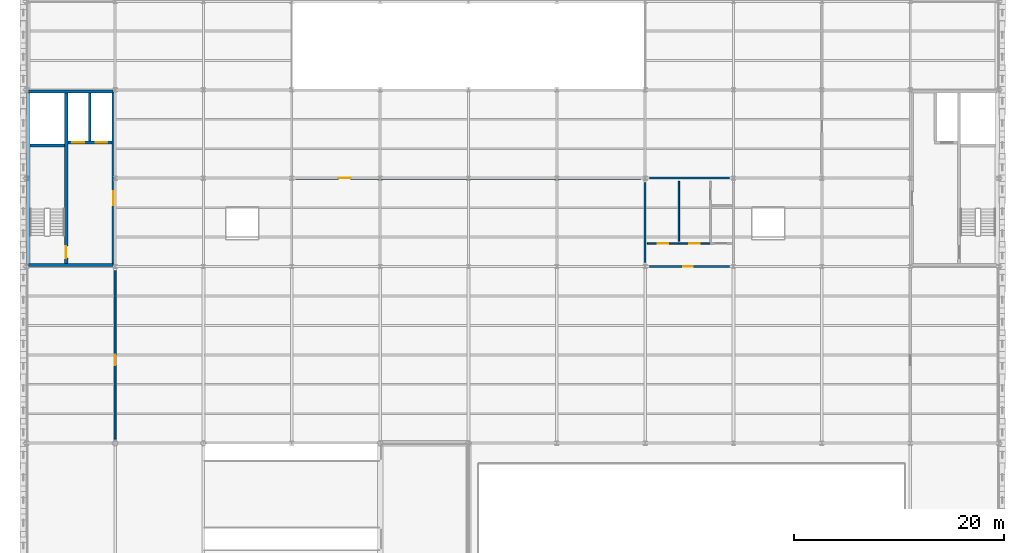
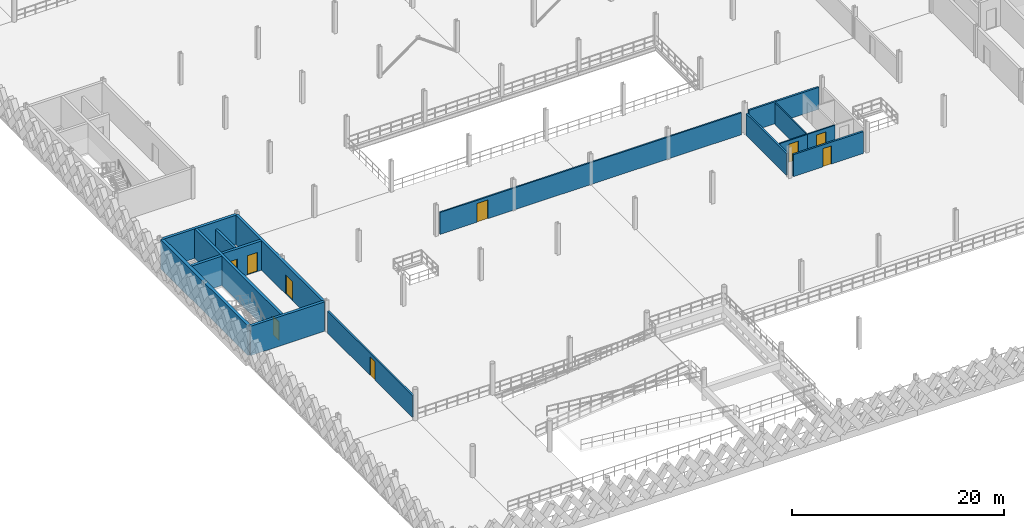
# One storey, part 59 of 74: 16 walls, 9 doors, 9 openings.
"""IFC4 building model written with IfcOpenShell, lengths in metres."""

from ifc_helpers import new_model, si_unit, direction, frame, frame_2d, origin, place, context, subcontext, project, spatial, rectangle, extrude, material, layer, layer_set, type_object, element, fill, save


model = new_model("IFC4")

# Units and contexts
model_context = context("Model", 3, precision=1e-05, world=origin(), true_north=direction((0.0, 1.0)))
body_context = subcontext(model_context, "Body", "Model", "MODEL_VIEW")
ifc_project = project(units=[si_unit("LENGTHUNIT", "METRE"), si_unit("AREAUNIT", "SQUARE_METRE"), si_unit("VOLUMEUNIT", "CUBIC_METRE"), si_unit("PLANEANGLEUNIT", "RADIAN"), si_unit("MASSUNIT", "GRAM", prefix="KILO"), si_unit("THERMODYNAMICTEMPERATUREUNIT", "KELVIN"), si_unit("POWERUNIT", "WATT")], contexts=[model_context])

# Site, building, storey
site_placement = place(None, origin())
site = spatial("IfcSite", under=ifc_project, at=site_placement, CompositionType="ELEMENT")
building_placement = place(site_placement, origin())
building = spatial("IfcBuilding", under=site, at=building_placement, Name="Tembeka Court Mobility Hub", CompositionType="ELEMENT")
storey_placement = place(building_placement, frame((0.0, 0.0, 12.60009765625)))
storey = spatial("IfcBuildingStorey", under=building, at=storey_placement, Name="L03", CompositionType="ELEMENT", Elevation=12.60009765625)

# Wall
ifc_material_1 = material(Name="Concrete C40/50", Category="concrete")
ifc_layer_1 = layer(ifc_material_1, 0.25)
ifc_layer_set_1 = layer_set([ifc_layer_1], Name="Concrete C40/50")
wall_type_1 = type_object("IfcWallType", Name="WL-IW01", PredefinedType="PARTITIONING", material=ifc_layer_set_1)
wall_1_placement = place(storey_placement, frame((6.0, 50.35009765625, 0.0), z_axis=(0.0, 0.0, 1.0), x_axis=(0.0, 1.0, 0.0)))
element("IfcWall", 1, at=wall_1_placement, inside=storey, type_object=wall_type_1, Name="Wall IW01 (IW-L03-0040)", PredefinedType="PARTITIONING", context=body_context, shape_type="SweptSolid", body=[
    extrude(rectangle(XDim=4.5498046875, YDim=0.25, at=frame_2d((2.27490234375, 0.0))), origin(), (0.0, 0.0, 1.0), 2.52490234375),
])

# Wall, opening, door
ifc_material_2 = material(Name="Concrete blockwork masonry", Category="masonry")
ifc_layer_2 = layer(ifc_material_2, 0.199951171875)
ifc_layer_set_2 = layer_set([ifc_layer_2], Name="Concrete blockwork masonry")
wall_type_2 = type_object("IfcWallType", Name="WL-IW02", PredefinedType="PARTITIONING", material=ifc_layer_set_2)
wall_2_placement = place(storey_placement, frame((59.199951171875, 38.39990234375, 0.0), z_axis=(0.0, 0.0, 1.0), x_axis=(1.0, 0.0, 0.0)))
wall_2 = element("IfcWall", 2, at=wall_2_placement, inside=storey, type_object=wall_type_2, Name="Wall IW02 (IW-L03-0376)", PredefinedType="PARTITIONING", context=body_context, shape_type="SweptSolid", body=[
    extrude(rectangle(XDim=7.60009765625, YDim=0.199951171875, at=frame_2d((3.800048828125, 0.0))), origin(), (0.0, 0.0, 1.0), 2.52490234375),
])
opening_1_placement = place(wall_2_placement, frame((3.199951171875, 0.0, 0.0)))
opening_1 = element("IfcOpeningElement", 3, at=opening_1_placement, cuts=wall_2, Name="Opening ID03", PredefinedType="OPENING", context=body_context, shape_type="SweptSolid", body=[
    extrude(rectangle(XDim=0.919921875, YDim=2.10009765625, at=frame_2d((0.4599609375, 1.050048828125))), frame((0.0, 0.10986328125, 0.0), z_axis=(0.0, -1.0, 0.0), x_axis=(1.0, 0.0, 0.0)), (0.0, 0.0, 1.0), 0.219970703125),
])
ifc_material_3 = material(Name="Galvanised steel fire/shutter doorset", Category="steel")
door_type_1 = type_object("IfcDoorType", Name="DR-ID03", OperationType="NOTDEFINED", PredefinedType="DOOR", material=ifc_material_3)
door_1_placement = place(opening_1_placement, origin())
door_1 = element("IfcDoor", 4, at=door_1_placement, inside=storey, type_object=door_type_1, Name="L03 washroom lobby entrance", OperationType="SINGLE_SWING_LEFT", OverallHeight=2.10009765625, OverallWidth=0.919921875, PredefinedType="DOOR", context=body_context, shape_type="SweptSolid", body=[
    extrude(rectangle(XDim=0.919921875, YDim=2.10009765625, at=frame_2d((0.4599609375, 1.050048828125))), frame((0.0, 0.02490234375, 0.0), z_axis=(0.0, -1.0, 0.0), x_axis=(1.0, 0.0, 0.0)), (0.0, 0.0, 1.0), 0.050048828125),
])
fill(opening_1, door_1)

# Walls
wall_3_placement = place(storey_placement, frame((59.199951171875, 46.800048828125, 0.0), z_axis=(0.0, 0.0, 1.0), x_axis=(1.0, 0.0, 0.0)))
element("IfcWall", 5, at=wall_3_placement, inside=storey, type_object=wall_type_2, Name="Wall IW02 (IW-L03-0377)", PredefinedType="PARTITIONING", context=body_context, shape_type="SweptSolid", body=[
    extrude(rectangle(XDim=7.60009765625, YDim=0.199951171875, at=frame_2d((3.800048828125, 0.0))), origin(), (0.0, 0.0, 1.0), 2.52490234375),
])
wall_4_placement = place(storey_placement, frame((58.800048828125, 38.800048828125, 0.0), z_axis=(0.0, 0.0, 1.0), x_axis=(0.0, 1.0, 0.0)))
element("IfcWall", 6, at=wall_4_placement, inside=storey, type_object=wall_type_2, Name="Wall IW02 (IW-L03-0378)", PredefinedType="PARTITIONING", context=body_context, shape_type="SweptSolid", body=[
    extrude(rectangle(XDim=7.599853515625, YDim=0.199951171875, at=frame_2d((3.7998046875, 0.0))), origin(), (0.0, 0.0, 1.0), 2.52490234375),
])

# Wall, opening, door
ifc_layer_3 = layer(ifc_material_2, 0.179931640625)
ifc_layer_set_3 = layer_set([ifc_layer_3], Name="Concrete blockwork masonry")
wall_type_3 = type_object("IfcWallType", Name="WL-IW03", PredefinedType="PARTITIONING", material=ifc_layer_set_3)
wall_5_placement = place(storey_placement, frame((8.39990234375, 22.0, 0.0), z_axis=(0.0, 0.0, 1.0), x_axis=(0.0, 1.0, 0.0)))
wall_5 = element("IfcWall", 7, at=wall_5_placement, inside=storey, type_object=wall_type_3, Name="Wall IW03 (IW-L03-0440)", PredefinedType="PARTITIONING", context=body_context, shape_type="SweptSolid", body=[
    extrude(rectangle(XDim=16.0, YDim=0.179931640625, at=frame_2d((8.0, 0.0))), origin(), (0.0, 0.0, 1.0), 2.52490234375),
])
opening_2_placement = place(wall_5_placement, frame((7.0, 0.0, 0.0)))
opening_2 = element("IfcOpeningElement", 8, at=opening_2_placement, cuts=wall_5, Name="Opening FD05", PredefinedType="OPENING", context=body_context, shape_type="SweptSolid", body=[
    extrude(rectangle(XDim=1.0, YDim=2.14990234375, at=frame_2d((0.5, 1.074951171875))), frame((0.0, 0.10009765625, 0.0), z_axis=(0.0, -1.0, 0.0), x_axis=(1.0, 0.0, 0.0)), (0.0, 0.0, 1.0), 0.199951171875),
])
door_type_2 = type_object("IfcDoorType", Name="DR-FD05", OperationType="NOTDEFINED", PredefinedType="DOOR", material=ifc_material_3)
door_2_placement = place(opening_2_placement, origin())
door_2 = element("IfcDoor", 9, at=door_2_placement, inside=storey, type_object=door_type_2, Name="Door FD05-0213", OperationType="SINGLE_SWING_RIGHT", OverallHeight=2.14990234375, OverallWidth=1.0, PredefinedType="DOOR", context=body_context, shape_type="SweptSolid", body=[
    extrude(rectangle(XDim=1.0, YDim=2.14990234375, at=frame_2d((0.5, 1.074951171875))), frame((0.0, 0.02490234375, 0.0), z_axis=(0.0, -1.0, 0.0), x_axis=(1.0, 0.0, 0.0)), (0.0, 0.0, 1.0), 0.050048828125),
])
fill(opening_2, door_2)

ifc_material_4 = material(Name="Acoustic metal-stud gypsum partition", Category="masonry")
ifc_layer_4 = layer(ifc_material_4, 0.159912109375)
ifc_layer_set_4 = layer_set([ifc_layer_4], Name="Acoustic metal-stud gypsum partition")
wall_type_4 = type_object("IfcWallType", Name="WL-IW04", PredefinedType="PARTITIONING", material=ifc_layer_set_4)
wall_6_placement = place(storey_placement, frame((25.60009765625, 46.800048828125, 0.0), z_axis=(0.0, 0.0, 1.0), x_axis=(1.0, 0.0, 0.0)))
wall_6 = element("IfcWall", 10, at=wall_6_placement, inside=storey, type_object=wall_type_4, Name="Wall IW04 (IW-L03-0442)", PredefinedType="PARTITIONING", context=body_context, shape_type="SweptSolid", body=[
    extrude(rectangle(XDim=32.7998046875, YDim=0.159912109375, at=frame_2d((16.39990234375, 0.0))), origin(), (0.0, 0.0, 1.0), 2.52490234375),
])
opening_3_placement = place(wall_6_placement, frame((4.0, 0.0, 0.0)))
opening_3 = element("IfcOpeningElement", 11, at=opening_3_placement, cuts=wall_6, Name="Opening ID04", PredefinedType="OPENING", context=body_context, shape_type="SweptSolid", body=[
    extrude(rectangle(XDim=1.199951171875, YDim=2.14990234375, at=frame_2d((0.60009765625, 1.074951171875))), frame((0.0, 0.08984375, 0.0), z_axis=(0.0, -1.0, 0.0), x_axis=(1.0, 0.0, 0.0)), (0.0, 0.0, 1.0), 0.179931640625),
])
ifc_material_5 = material(Name="Powder-coated aluminium glazed doorset", Category="aluminium")
door_type_3 = type_object("IfcDoorType", Name="DR-ID04", OperationType="NOTDEFINED", PredefinedType="DOOR", material=ifc_material_5)
door_3_placement = place(opening_3_placement, origin())
door_3 = element("IfcDoor", 12, at=door_3_placement, inside=storey, type_object=door_type_3, Name="Door ID04-0215", OperationType="SINGLE_SWING_RIGHT", OverallHeight=2.14990234375, OverallWidth=1.199951171875, PredefinedType="DOOR", context=body_context, shape_type="SweptSolid", body=[
    extrude(rectangle(XDim=1.199951171875, YDim=2.14990234375, at=frame_2d((0.60009765625, 1.074951171875))), frame((0.0, 0.02490234375, 0.0), z_axis=(0.0, -1.0, 0.0), x_axis=(1.0, 0.0, 0.0)), (0.0, 0.0, 1.0), 0.050048828125),
])
fill(opening_3, door_3)

ifc_material_6 = material(Name="Moisture-resistant gypsum partition", Category="masonry")
ifc_layer_5 = layer(ifc_material_6, 0.139892578125)
ifc_layer_set_5 = layer_set([ifc_layer_5], Name="Moisture-resistant gypsum partition")
wall_type_5 = type_object("IfcWallType", Name="WL-IW05", PredefinedType="PARTITIONING", material=ifc_layer_set_5)
wall_7_placement = place(storey_placement, frame((59.0, 40.60009765625, 0.0), z_axis=(0.0, 0.0, 1.0), x_axis=(1.0, 0.0, 0.0)))
wall_7 = element("IfcWall", 13, at=wall_7_placement, inside=storey, type_object=wall_type_5, Name="Wall IW05 (IW-L03-0380)", PredefinedType="PARTITIONING", context=body_context, shape_type="SweptSolid", body=[
    extrude(rectangle(XDim=3.0, YDim=0.139892578125, at=frame_2d((1.5, 0.0))), origin(), (0.0, 0.0, 1.0), 2.52490234375),
])
opening_4_placement = place(wall_7_placement, frame((1.0, 0.0, 0.0)))
opening_4 = element("IfcOpeningElement", 14, at=opening_4_placement, cuts=wall_7, Name="Opening ID02", PredefinedType="OPENING", context=body_context, shape_type="SweptSolid", body=[
    extrude(rectangle(XDim=1.0, YDim=2.10009765625, at=frame_2d((0.5, 1.050048828125))), frame((0.0, 0.080078125, 0.0), z_axis=(0.0, -1.0, 0.0), x_axis=(1.0, 0.0, 0.0)), (0.0, 0.0, 1.0), 0.159912109375),
])
door_type_4 = type_object("IfcDoorType", Name="DR-ID02", OperationType="NOTDEFINED", PredefinedType="DOOR", material=ifc_material_5)
door_4_placement = place(opening_4_placement, origin())
door_4 = element("IfcDoor", 15, at=door_4_placement, inside=storey, type_object=door_type_4, Name="L03 male WC door", OperationType="SINGLE_SWING_RIGHT", OverallHeight=2.10009765625, OverallWidth=1.0, PredefinedType="DOOR", context=body_context, shape_type="SweptSolid", body=[
    extrude(rectangle(XDim=1.0, YDim=2.10009765625, at=frame_2d((0.5, 1.050048828125))), frame((0.0, 0.02490234375, 0.0), z_axis=(0.0, -1.0, 0.0), x_axis=(1.0, 0.0, 0.0)), (0.0, 0.0, 1.0), 0.050048828125),
])
fill(opening_4, door_4)

wall_8_placement = place(storey_placement, frame((62.0, 40.60009765625, 0.0), z_axis=(0.0, 0.0, 1.0), x_axis=(1.0, 0.0, 0.0)))
wall_8 = element("IfcWall", 16, at=wall_8_placement, inside=storey, type_object=wall_type_5, Name="Wall IW05 (IW-L03-0381)", PredefinedType="PARTITIONING", context=body_context, shape_type="SweptSolid", body=[
    extrude(rectangle(XDim=3.0, YDim=0.139892578125, at=frame_2d((1.5, 0.0))), origin(), (0.0, 0.0, 1.0), 2.52490234375),
])
opening_5_placement = place(wall_8_placement, frame((1.0, 0.0, 0.0)))
opening_5 = element("IfcOpeningElement", 17, at=opening_5_placement, cuts=wall_8, Name="Opening ID02", PredefinedType="OPENING", context=body_context, shape_type="SweptSolid", body=[
    extrude(rectangle(XDim=1.0, YDim=2.10009765625, at=frame_2d((0.5, 1.050048828125))), frame((0.0, 0.080078125, 0.0), z_axis=(0.0, -1.0, 0.0), x_axis=(1.0, 0.0, 0.0)), (0.0, 0.0, 1.0), 0.159912109375),
])
door_5_placement = place(opening_5_placement, origin())
door_5 = element("IfcDoor", 18, at=door_5_placement, inside=storey, type_object=door_type_4, Name="L03 female WC door", OperationType="SINGLE_SWING_LEFT", OverallHeight=2.10009765625, OverallWidth=1.0, PredefinedType="DOOR", context=body_context, shape_type="SweptSolid", body=[
    extrude(rectangle(XDim=1.0, YDim=2.10009765625, at=frame_2d((0.5, 1.050048828125))), frame((0.0, 0.02490234375, 0.0), z_axis=(0.0, -1.0, 0.0), x_axis=(1.0, 0.0, 0.0)), (0.0, 0.0, 1.0), 0.050048828125),
])
fill(opening_5, door_5)

# Walls
wall_9_placement = place(storey_placement, frame((62.0, 40.800048828125, 0.0), z_axis=(0.0, 0.0, 1.0), x_axis=(0.0, 1.0, 0.0)))
element("IfcWall", 19, at=wall_9_placement, inside=storey, type_object=wall_type_5, Name="Wall IW05 (IW-L03-0383)", PredefinedType="PARTITIONING", context=body_context, shape_type="SweptSolid", body=[
    extrude(rectangle(XDim=5.699951171875, YDim=0.139892578125, at=frame_2d((2.85009765625, 0.0))), origin(), (0.0, 0.0, 1.0), 2.52490234375),
])
ifc_layer_6 = layer(ifc_material_1, 0.300048828125)
ifc_layer_set_6 = layer_set([ifc_layer_6], Name="Concrete C40/50")
wall_type_6 = type_object("IfcWallType", Name="WL-SW01", PredefinedType="SHEAR", material=ifc_layer_set_6)
for number, where, z_axis, x_axis, name in (
    (20, (0.1845703125, 38.550048828125, 0.0), (0.0, 0.0, 1.0), (1.0, 0.0, 0.0), "Wall SW01 (IW-L03-0033)"),
    (21, (0.1845703125, 55.050048828125, 0.0), (0.0, 0.0, 1.0), (1.0, 0.0, 0.0), "Wall SW01 (IW-L03-0034)"),
):
    element("IfcWall", number, at=place(storey_placement, frame(where, z_axis=z_axis, x_axis=x_axis)), inside=storey, type_object=wall_type_6, Name=name, PredefinedType="SHEAR", context=body_context, shape_type="SweptSolid", body=[
        extrude(rectangle(XDim=8.031005859375, YDim=0.300048828125, at=frame_2d((4.015625, 0.0))), origin(), (0.0, 0.0, 1.0), 3.3798828125),
    ])
wall_10_placement = place(storey_placement, frame((0.300048828125, 49.89990234375, 0.0), z_axis=(0.0, 0.0, 1.0), x_axis=(1.0, 0.0, 0.0)))
element("IfcWall", 22, at=wall_10_placement, inside=storey, type_object=wall_type_6, Name="Wall SW01 (IW-L03-0035)", PredefinedType="SHEAR", context=body_context, shape_type="SweptSolid", body=[
    extrude(rectangle(XDim=3.300048828125, YDim=0.300048828125, at=frame_2d((1.64990234375, 0.0))), origin(), (0.0, 0.0, 1.0), 3.3798828125),
])

# Wall, opening, door
wall_11_placement = place(storey_placement, frame((8.25, 38.58203125, 0.0), z_axis=(0.0, 0.0, 1.0), x_axis=(0.0, 1.0, 0.0)))
wall_11 = element("IfcWall", 23, at=wall_11_placement, inside=storey, type_object=wall_type_6, Name="Wall SW01 (IW-L03-0037)", PredefinedType="SHEAR", context=body_context, shape_type="SweptSolid", body=[
    extrude(rectangle(XDim=16.43603515625, YDim=0.300048828125, at=frame_2d((8.218017578125, 0.0))), origin(), (0.0, 0.0, 1.0), 3.3798828125),
])
opening_6_placement = place(wall_11_placement, frame((5.66796875, 0.0, 0.0)))
opening_6 = element("IfcOpeningElement", 24, at=opening_6_placement, cuts=wall_11, Name="Opening FD02", PredefinedType="OPENING", context=body_context, shape_type="SweptSolid", body=[
    extrude(rectangle(XDim=1.300048828125, YDim=2.199951171875, at=frame_2d((0.64990234375, 1.10009765625))), frame((0.0, 0.16015625, 0.0), z_axis=(0.0, -1.0, 0.0), x_axis=(1.0, 0.0, 0.0)), (0.0, 0.0, 1.0), 0.320068359375),
])
door_type_5 = type_object("IfcDoorType", Name="DR-FD02", OperationType="NOTDEFINED", PredefinedType="DOOR", material=ifc_material_3)
door_6_placement = place(opening_6_placement, origin())
door_6 = element("IfcDoor", 25, at=door_6_placement, inside=storey, type_object=door_type_5, Name="Door FD02-0018", OperationType="SINGLE_SWING_RIGHT", OverallHeight=2.199951171875, OverallWidth=1.300048828125, PredefinedType="DOOR", context=body_context, shape_type="SweptSolid", body=[
    extrude(rectangle(XDim=1.300048828125, YDim=2.199951171875, at=frame_2d((0.64990234375, 1.10009765625))), frame((0.0, 0.02490234375, 0.0), z_axis=(0.0, -1.0, 0.0), x_axis=(1.0, 0.0, 0.0)), (0.0, 0.0, 1.0), 0.050048828125),
])
fill(opening_6, door_6)

wall_12_placement = place(storey_placement, frame((3.75, 38.699951171875, 0.0), z_axis=(0.0, 0.0, 1.0), x_axis=(0.0, 1.0, 0.0)))
wall_12 = element("IfcWall", 26, at=wall_12_placement, inside=storey, type_object=wall_type_6, Name="Wall SW01 (IW-L03-0038)", PredefinedType="SHEAR", context=body_context, shape_type="SweptSolid", body=[
    extrude(rectangle(XDim=16.199951171875, YDim=0.300048828125, at=frame_2d((8.10009765625, 0.0))), origin(), (0.0, 0.0, 1.0), 3.3798828125),
])
opening_7_placement = place(wall_12_placement, frame((0.5, 0.0, 0.0)))
opening_7 = element("IfcOpeningElement", 27, at=opening_7_placement, cuts=wall_12, Name="Opening FD03", PredefinedType="OPENING", context=body_context, shape_type="SweptSolid", body=[
    extrude(rectangle(XDim=1.14990234375, YDim=2.14990234375, at=frame_2d((0.574951171875, 1.074951171875))), frame((0.0, 0.16015625, 0.0), z_axis=(0.0, -1.0, 0.0), x_axis=(1.0, 0.0, 0.0)), (0.0, 0.0, 1.0), 0.320068359375),
])
door_type_6 = type_object("IfcDoorType", Name="DR-FD03", OperationType="NOTDEFINED", PredefinedType="DOOR", material=ifc_material_3)
door_7_placement = place(opening_7_placement, frame((1.14990234375, 0.0, 0.0), z_axis=(0.0, 0.0, 1.0), x_axis=(-1.0, 0.0, 0.0)))
door_7 = element("IfcDoor", 28, at=door_7_placement, inside=storey, type_object=door_type_6, Name="Door FD03-0019", OperationType="SINGLE_SWING_LEFT", OverallHeight=2.14990234375, OverallWidth=1.14990234375, PredefinedType="DOOR", context=body_context, shape_type="SweptSolid", body=[
    extrude(rectangle(XDim=1.14990234375, YDim=2.14990234375, at=frame_2d((0.574951171875, 1.074951171875))), frame((0.0, 0.02490234375, 0.0), z_axis=(0.0, -1.0, 0.0), x_axis=(1.0, 0.0, 0.0)), (0.0, 0.0, 1.0), 0.050048828125),
])
fill(opening_7, door_7)

# Wall, openings, doors
wall_13_placement = place(storey_placement, frame((3.89990234375, 50.199951171875, 0.0), z_axis=(0.0, 0.0, 1.0), x_axis=(1.0, 0.0, 0.0)))
wall_13 = element("IfcWall", 29, at=wall_13_placement, inside=storey, type_object=wall_type_6, Name="Wall SW01 (IW-L03-0039)", PredefinedType="SHEAR", context=body_context, shape_type="SweptSolid", body=[
    extrude(rectangle(XDim=4.2001953125, YDim=0.300048828125, at=frame_2d((2.10009765625, 0.0))), origin(), (0.0, 0.0, 1.0), 3.3798828125),
])
opening_8_placement = place(wall_13_placement, frame((0.449951171875, 0.0, 0.0)))
opening_8 = element("IfcOpeningElement", 30, at=opening_8_placement, cuts=wall_13, Name="Opening LD01", PredefinedType="OPENING", context=body_context, shape_type="SweptSolid", body=[
    extrude(rectangle(XDim=1.10009765625, YDim=2.199951171875, at=frame_2d((0.550048828125, 1.10009765625))), frame((0.0, 0.16015625, 0.0), z_axis=(0.0, -1.0, 0.0), x_axis=(1.0, 0.0, 0.0)), (0.0, 0.0, 1.0), 0.320068359375),
])
opening_9_placement = place(wall_13_placement, frame((2.64990234375, 0.0, 0.0)))
opening_9 = element("IfcOpeningElement", 31, at=opening_9_placement, cuts=wall_13, Name="Opening LD01", PredefinedType="OPENING", context=body_context, shape_type="SweptSolid", body=[
    extrude(rectangle(XDim=1.10009765625, YDim=2.199951171875, at=frame_2d((0.550048828125, 1.10009765625))), frame((0.0, 0.16015625, 0.0), z_axis=(0.0, -1.0, 0.0), x_axis=(1.0, 0.0, 0.0)), (0.0, 0.0, 1.0), 0.320068359375),
])
door_type_7 = type_object("IfcDoorType", Name="DR-LD01", OperationType="SLIDING_TO_LEFT", PredefinedType="DOOR", material=ifc_material_3)
door_8_placement = place(opening_8_placement, origin())
door_8 = element("IfcDoor", 32, at=door_8_placement, inside=storey, type_object=door_type_7, Name="Lift LF01 landing door L03", OperationType="SLIDING_TO_LEFT", OverallHeight=2.199951171875, OverallWidth=1.10009765625, PredefinedType="DOOR", context=body_context, shape_type="SweptSolid", body=[
    extrude(rectangle(XDim=1.10009765625, YDim=2.199951171875, at=frame_2d((0.550048828125, 1.10009765625))), frame((0.0, 0.02490234375, 0.0), z_axis=(0.0, -1.0, 0.0), x_axis=(1.0, 0.0, 0.0)), (0.0, 0.0, 1.0), 0.050048828125),
])
fill(opening_8, door_8)
door_9_placement = place(opening_9_placement, origin())
door_9 = element("IfcDoor", 33, at=door_9_placement, inside=storey, type_object=door_type_7, Name="Lift LF03 landing door L03", OperationType="SLIDING_TO_LEFT", OverallHeight=2.199951171875, OverallWidth=1.10009765625, PredefinedType="DOOR", context=body_context, shape_type="SweptSolid", body=[
    extrude(rectangle(XDim=1.10009765625, YDim=2.199951171875, at=frame_2d((0.550048828125, 1.10009765625))), frame((0.0, 0.02490234375, 0.0), z_axis=(0.0, -1.0, 0.0), x_axis=(1.0, 0.0, 0.0)), (0.0, 0.0, 1.0), 0.050048828125),
])
fill(opening_9, door_9)

# Wall
ifc_layer_7 = layer(ifc_material_1, 0.35009765625)
ifc_layer_set_7 = layer_set([ifc_layer_7], Name="Concrete C40/50")
wall_type_7 = type_object("IfcWallType", Name="WL-SW02", PredefinedType="SHEAR", material=ifc_layer_set_7)
wall_14_placement = place(storey_placement, frame((0.14990234375, 38.58203125, 0.0), z_axis=(0.0, 0.0, 1.0), x_axis=(0.0, 1.0, 0.0)))
element("IfcWall", 34, at=wall_14_placement, inside=storey, type_object=wall_type_7, Name="Wall SW02 (IW-L03-0036)", PredefinedType="SHEAR", context=body_context, shape_type="SweptSolid", body=[
    extrude(rectangle(XDim=16.43603515625, YDim=0.35009765625, at=frame_2d((8.218017578125, 0.0))), origin(), (0.0, 0.0, 1.0), 3.3798828125),
])

save(model, "model.ifc")
